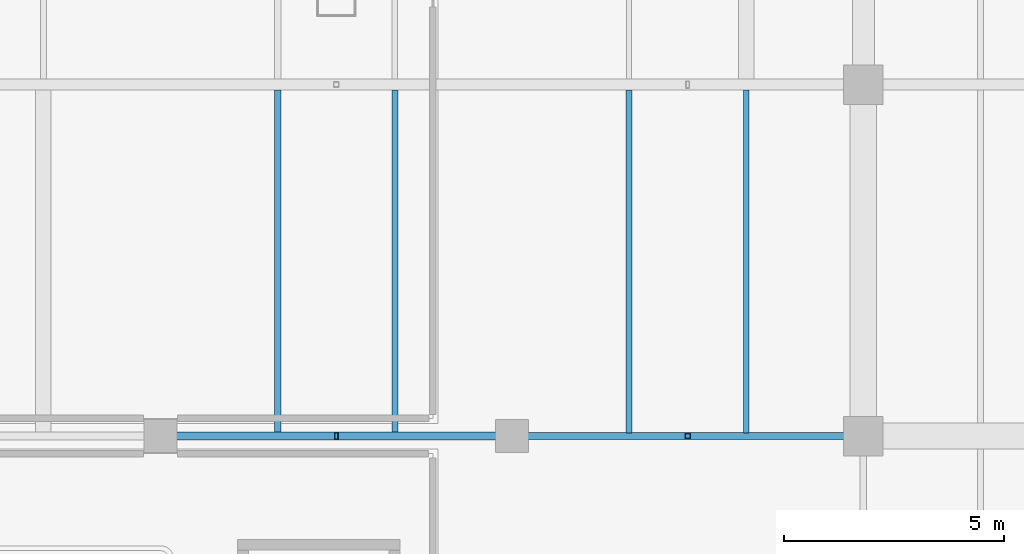
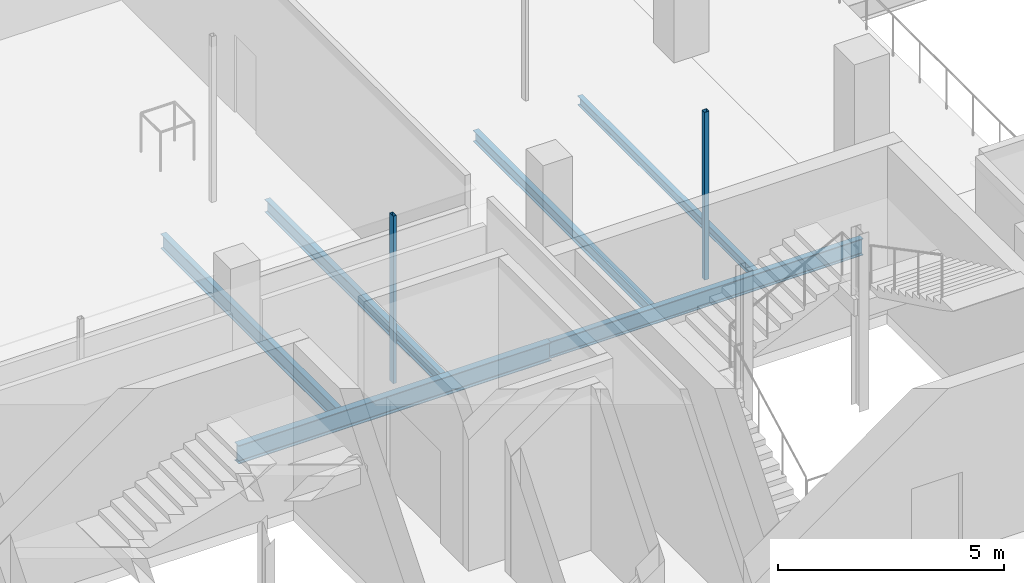
# One storey, part 16 of 127: 6 beams, 2 members.
"""IFC4 building model written with IfcOpenShell, lengths in metres."""

import ifcopenshell
import ifcopenshell.guid

model = None  # the IFC model being written
_history = None  # IfcOwnerHistory: only IFC2X3 demands one
_inside = {}  # id of a spatial element -> (the spatial element, [elements in it])
_under = {}  # id of a project, library or spatial element -> (it, [spatial elements below it])
_declared = {}  # id of a project -> (the project, [libraries it declares])
_typed = {}  # id of a type object -> (the type object, [elements of that type])
_made_of = {}  # id of a material, layer set ... -> (it, [elements and type objects made of it])


def new_model(schema):
    """Start an empty IFC model of exactly this schema.

    Asked for "IFC4X3", IfcOpenShell would pick the latest addendum, in which some entities
    have other attributes; the version numbers below select the first issue.
    IFC2X3 requires an IfcOwnerHistory on every rooted entity: one is made here for all.
    """
    global model, _history
    if schema == "IFC4X3":
        model = ifcopenshell.file(schema_version=(4, 3, 0, 0))
    else:
        model = ifcopenshell.file(schema=schema)
    _inside.clear()
    _under.clear()
    _declared.clear()
    _typed.clear()
    _made_of.clear()
    _history = None
    if model.schema == "IFC2X3":
        org = make("IfcOrganization", Name="unknown")
        user = make(
            "IfcPersonAndOrganization",
            ThePerson=make("IfcPerson", FamilyName="unknown"),
            TheOrganization=org,
        )
        app = make(
            "IfcApplication",
            ApplicationDeveloper=org,
            Version="unknown",
            ApplicationFullName="unknown",
            ApplicationIdentifier="unknown",
        )
        _history = make(
            "IfcOwnerHistory",
            OwningUser=user,
            OwningApplication=app,
            ChangeAction="ADDED",
            CreationDate=0,
        )
    return model


def make(cls, **values):
    """One entity of the class cls with the attributes given. An attribute that is None is left unset."""
    return model.create_entity(
        cls, **{name: value for name, value in values.items() if value is not None}
    )


def rooted(cls, **values):
    """An entity with a GlobalId (a new one), such as an element, a storey or a relation."""
    return make(cls, GlobalId=ifcopenshell.guid.new(), OwnerHistory=_history, **values)


def si_unit(unit_type, name, prefix=None):
    """IfcSIUnit, for example si_unit("LENGTHUNIT", "METRE", prefix="MILLI")."""
    return make("IfcSIUnit", UnitType=unit_type, Prefix=prefix, Name=name)


def derived_unit(unit_type, elements):
    """IfcDerivedUnit: a product of units, each with its exponent."""
    return make(
        "IfcDerivedUnit",
        Elements=[
            make("IfcDerivedUnitElement", Unit=unit, Exponent=power)
            for unit, power in elements
        ],
        UnitType=unit_type,
    )


def assignment(units):
    """IfcUnitAssignment: the units of a project."""
    return None if units is None else make("IfcUnitAssignment", Units=units)


def point(xyz):
    """IfcCartesianPoint."""
    return None if xyz is None else make("IfcCartesianPoint", Coordinates=xyz)


def direction(xyz):
    """IfcDirection."""
    return None if xyz is None else make("IfcDirection", DirectionRatios=xyz)


def frame(location, z_axis=None, x_axis=None):
    """IfcAxis2Placement3D, a coordinate frame: its origin and axes. An axis left out is left unset."""
    return make(
        "IfcAxis2Placement3D",
        Location=point(location),
        Axis=direction(z_axis),
        RefDirection=direction(x_axis),
    )


def frame_2d(location, x_axis=None):
    """IfcAxis2Placement2D, a coordinate frame in the plane: its origin and x axis."""
    return make(
        "IfcAxis2Placement2D", Location=point(location), RefDirection=direction(x_axis)
    )


def origin():
    """The frame at (0, 0, 0) with its axes left unset."""
    return frame((0.0, 0.0, 0.0))


def origin_2d():
    """The frame at (0, 0) in the plane with its x axis left unset."""
    return frame_2d((0.0, 0.0))


def place(relative_to, where):
    """IfcLocalPlacement: puts the frame where relative to a parent placement (None: the world)."""
    return make(
        "IfcLocalPlacement", PlacementRelTo=relative_to, RelativePlacement=where
    )


def context(
    kind, dimensions, precision=None, world=None, true_north=None, identifier=None
):
    """IfcGeometricRepresentationContext, for example the 3D "Model" context."""
    return make(
        "IfcGeometricRepresentationContext",
        ContextIdentifier=identifier,
        ContextType=kind,
        CoordinateSpaceDimension=dimensions,
        Precision=precision,
        WorldCoordinateSystem=world,
        TrueNorth=true_north,
    )


def subcontext(parent, identifier, kind, view, scale=None):
    """IfcGeometricRepresentationSubContext, for example "Body" below "Model"."""
    return make(
        "IfcGeometricRepresentationSubContext",
        ContextIdentifier=identifier,
        ContextType=kind,
        ParentContext=parent,
        TargetScale=scale,
        TargetView=view,
    )


def project(units=None, contexts=None):
    """IfcProject with its units and contexts."""
    return rooted(
        "IfcProject",
        Name="project",
        RepresentationContexts=contexts,
        UnitsInContext=assignment(units),
    )


def spatial(cls, under=None, at=None, **own):
    """A site, building, storey or space (cls), placed at a placement, below another one or the project."""
    s = rooted(cls, ObjectPlacement=at, **own)
    if under is not None:
        _under.setdefault(under.id(), (under, []))[1].append(s)
    return s


def profile(cls, at=None, kind="AREA", **sizes):
    """A parametric profile (cls). Its sizes go by their IFC names, for example OverallWidth=200.0."""
    return make(cls, ProfileType=kind, Position=at, **sizes)


def hollow_rectangle(**sizes):
    """IfcRectangleHollowProfileDef."""
    return profile("IfcRectangleHollowProfileDef", **sizes)


def i_section(**sizes):
    """IfcIShapeProfileDef."""
    return profile("IfcIShapeProfileDef", **sizes)


def extrude(swept, where, along, depth):
    """IfcExtrudedAreaSolid: the profile swept, set in the frame where, extruded along a direction by depth."""
    return make(
        "IfcExtrudedAreaSolid",
        SweptArea=swept,
        Position=where,
        ExtrudedDirection=direction(along),
        Depth=depth,
    )


def shape(context_of_items, identifier, shape_type, items):
    """IfcShapeRepresentation: the items that make up one representation, for example the "Body"."""
    return make(
        "IfcShapeRepresentation",
        ContextOfItems=context_of_items,
        RepresentationIdentifier=identifier,
        RepresentationType=shape_type,
        Items=items,
    )


def material(Name=None, Category=None):
    """IfcMaterial."""
    return make("IfcMaterial", Name=Name, Category=Category)


def material_profile(
    of_material, cross_section, Name=None, Category=None, Priority=None
):
    """IfcMaterialProfile: a cross section and its material."""
    return make(
        "IfcMaterialProfile",
        Name=Name,
        Material=of_material,
        Profile=cross_section,
        Priority=Priority,
        Category=Category,
    )


def profile_set(profiles, Name=None, composite=None):
    """IfcMaterialProfileSet."""
    return make(
        "IfcMaterialProfileSet",
        Name=Name,
        MaterialProfiles=profiles,
        CompositeProfile=composite,
    )


def made_of(thing, what):
    """Note that an element or type object is made of a material, layer set ...; save() writes the relation."""
    if what is not None:
        _made_of.setdefault(what.id(), (what, []))[1].append(thing)
    return thing


def type_object(cls, material=None, **own):
    """A type object (cls), such as IfcWallType, which elements share."""
    return made_of(rooted(cls, **own), material)


def element(
    cls,
    number,
    at=None,
    inside=None,
    cuts=None,
    type_object=None,
    material=None,
    context=None,
    identifier="Body",
    shape_type=None,
    held_by="IfcProductDefinitionShape",
    body=None,
    shapes=None,
    **own,
):
    """One element of the class cls, such as IfcWall. Its Tag is "e" and its number.

    at: its placement. inside: the storey or other place that contains it. cuts: it is an
    opening in that element (IfcRelVoidsElement). A single representation is given by context,
    identifier, shape_type and body (its items); several are given by shapes. held_by: the class
    of the entity that holds the representations. save() writes the other relations.
    """
    e = rooted(cls, Tag="e%d" % number, ObjectPlacement=at, **own)
    if body is not None:
        shapes = [shape(context, identifier, shape_type, body)]
    if shapes is not None:
        e.Representation = make(held_by, Representations=shapes)
    if inside is not None:
        _inside.setdefault(inside.id(), (inside, []))[1].append(e)
    if cuts is not None:
        rooted(
            "IfcRelVoidsElement", RelatingBuildingElement=cuts, RelatedOpeningElement=e
        )
    if type_object is not None:
        _typed.setdefault(type_object.id(), (type_object, []))[1].append(e)
    return made_of(e, material)


def aggregate(whole, parts):
    """IfcRelAggregates: a whole, such as a stair, and the parts it consists of."""
    return rooted("IfcRelAggregates", RelatingObject=whole, RelatedObjects=parts)


def save(model, path):
    """Write the relations noted so far, then the file.

    IfcRelAggregates (storeys below a building ...), IfcRelContainedInSpatialStructure (elements
    in a storey), IfcRelDefinesByType, IfcRelAssociatesMaterial and IfcRelDeclares: one each for
    every whole, place, type object, material and project.
    """
    for whole, parts in _under.values():
        aggregate(whole, parts)
    for where, things in _inside.values():
        rooted(
            "IfcRelContainedInSpatialStructure",
            RelatedElements=things,
            RelatingStructure=where,
        )
    for kind, things in _typed.values():
        rooted("IfcRelDefinesByType", RelatedObjects=things, RelatingType=kind)
    for what, things in _made_of.values():
        rooted("IfcRelAssociatesMaterial", RelatedObjects=things, RelatingMaterial=what)
    for by, libraries in _declared.values():
        rooted("IfcRelDeclares", RelatingContext=by, RelatedDefinitions=libraries)
    model.write(path)


model = new_model("IFC4")

# Units and contexts
model_context = context("Model", 3, precision=1e-05, world=origin(), true_north=direction((0.0, 1.0)))
body_context = subcontext(model_context, "Body", "Model", "MODEL_VIEW")
ifc_project = project(units=[si_unit("LENGTHUNIT", "METRE"), si_unit("AREAUNIT", "SQUARE_METRE"), si_unit("VOLUMEUNIT", "CUBIC_METRE"), si_unit("PLANEANGLEUNIT", "RADIAN"), si_unit("MASSUNIT", "GRAM", prefix="KILO"), derived_unit("THERMALTRANSMITTANCEUNIT", [(si_unit("POWERUNIT", "WATT"), 1), (si_unit("LENGTHUNIT", "METRE"), -2), (si_unit("THERMODYNAMICTEMPERATUREUNIT", "KELVIN"), -1)])], contexts=[model_context])

# Site, building, storey
site_placement = place(None, origin())
site = spatial("IfcSite", under=ifc_project, at=site_placement, CompositionType="ELEMENT")
building_placement = place(site_placement, origin())
building = spatial("IfcBuilding", under=site, at=building_placement, Name="Nallur Shell Playhouse", CompositionType="ELEMENT")
storey_placement = place(building_placement, frame((0.0, 0.0, 5.39990234375)))
storey = spatial("IfcBuildingStorey", under=building, at=storey_placement, Name="L02", CompositionType="ELEMENT", Elevation=5.39990234375)

# Beams
ifc_material_1 = material(Name="Steel E250", Category="steel")
ifc_material_profile_1 = material_profile(ifc_material_1, i_section(OverallWidth=0.125, OverallDepth=0.25, WebThickness=0.0068359375, FlangeThickness=0.012451171875, FilletRadius=0.012939453125, at=origin_2d()), Name="ISMB 250")
ifc_profile_set_1 = profile_set([ifc_material_profile_1], Name="Steel E250")
beam_type_1 = type_object("IfcBeamType", Name="BM-JST-ISMB250", PredefinedType="JOIST", material=ifc_profile_set_1)
beam_1_placement = place(storey_placement, frame((37.333251953125, 24.072998046875, -0.40478515625), z_axis=(0.0, 1.0, 0.0), x_axis=(-1.0, 0.0, 0.0)))
element("IfcBeam", 1, at=beam_1_placement, inside=storey, type_object=beam_type_1, Name="L02 secondary joist 4-C-502", PredefinedType="JOIST", context=body_context, shape_type="SweptSolid", body=[
    extrude(i_section(OverallWidth=0.125, OverallDepth=0.25, WebThickness=0.0068359375, FlangeThickness=0.012451171875, FilletRadius=0.012939453125, at=origin_2d()), origin(), (0.0, 0.0, 1.0), 7.803955078125),
])
ifc_material_profile_2 = material_profile(ifc_material_1, i_section(OverallWidth=0.139892578125, OverallDepth=0.300048828125, WebThickness=0.0078125, FlangeThickness=0.01318359375, FilletRadius=0.013916015625, at=origin_2d()), Name="ISMB 300")
ifc_profile_set_2 = profile_set([ifc_material_profile_2], Name="Steel E250")
beam_type_2 = type_object("IfcBeamType", Name="BM-JST-ISMB300", PredefinedType="JOIST", material=ifc_profile_set_2)
beam_2_placement = place(storey_placement, frame((34.666748046875, 24.072998046875, -0.429931640625), z_axis=(0.0, 1.0, 0.0), x_axis=(-1.0, 0.0, 0.0)))
element("IfcBeam", 2, at=beam_2_placement, inside=storey, type_object=beam_type_2, Name="L02 secondary joist 4-C-501", PredefinedType="JOIST", context=body_context, shape_type="SweptSolid", body=[
    extrude(i_section(OverallWidth=0.139892578125, OverallDepth=0.300048828125, WebThickness=0.0078125, FlangeThickness=0.01318359375, FilletRadius=0.013916015625, at=origin_2d()), origin(), (0.0, 0.0, 1.0), 7.803955078125),
])
ifc_material_profile_3 = material_profile(ifc_material_1, i_section(OverallWidth=0.139892578125, OverallDepth=0.35009765625, WebThickness=0.008056640625, FlangeThickness=0.01416015625, FilletRadius=0.013916015625, at=origin_2d()), Name="ISMB 350")
ifc_profile_set_3 = profile_set([ifc_material_profile_3], Name="Steel E250")
beam_type_3 = type_object("IfcBeamType", Name="BM-JST-ISMB350", PredefinedType="JOIST", material=ifc_profile_set_3)
beam_3_placement = place(storey_placement, frame((29.333251953125, 24.087890625, -0.454833984375), z_axis=(0.0, 1.0, 0.0), x_axis=(-1.0, 0.0, 0.0)))
element("IfcBeam", 3, at=beam_3_placement, inside=storey, type_object=beam_type_3, Name="L02 secondary joist 3-C-494", PredefinedType="JOIST", context=body_context, shape_type="SweptSolid", body=[
    extrude(i_section(OverallWidth=0.139892578125, OverallDepth=0.35009765625, WebThickness=0.008056640625, FlangeThickness=0.01416015625, FilletRadius=0.013916015625, at=origin_2d()), origin(), (0.0, 0.0, 1.0), 7.7890625),
])
ifc_material_profile_4 = material_profile(ifc_material_1, i_section(OverallWidth=0.139892578125, OverallDepth=0.39990234375, WebThickness=0.0087890625, FlangeThickness=0.01611328125, FilletRadius=0.013916015625, at=origin_2d()), Name="ISMB 400")
ifc_profile_set_4 = profile_set([ifc_material_profile_4], Name="Steel E250")
beam_type_4 = type_object("IfcBeamType", Name="BM-JST-ISMB400", PredefinedType="JOIST", material=ifc_profile_set_4)
beam_4_placement = place(storey_placement, frame((26.666748046875, 24.087890625, -0.47998046875), z_axis=(0.0, 1.0, 0.0), x_axis=(-1.0, 0.0, 0.0)))
element("IfcBeam", 4, at=beam_4_placement, inside=storey, type_object=beam_type_4, Name="L02 secondary joist 3-C-493", PredefinedType="JOIST", context=body_context, shape_type="SweptSolid", body=[
    extrude(i_section(OverallWidth=0.139892578125, OverallDepth=0.39990234375, WebThickness=0.0087890625, FlangeThickness=0.01611328125, FilletRadius=0.013916015625, at=origin_2d()), origin(), (0.0, 0.0, 1.0), 7.7890625),
])
ifc_material_2 = material(Name="Steel E350", Category="steel")
ifc_material_profile_5 = material_profile(ifc_material_2, i_section(OverallWidth=0.14990234375, OverallDepth=0.449951171875, WebThickness=0.009521484375, FlangeThickness=0.017333984375, FilletRadius=0.014892578125, at=origin_2d()), Name="ISMB 450")
ifc_profile_set_5 = profile_set([ifc_material_profile_5], Name="Steel E350")
beam_type_5 = type_object("IfcBeamType", Name="BM-ST-ISMB450", PredefinedType="BEAM", material=ifc_profile_set_5)
beam_5_placement = place(storey_placement, frame((32.0, 24.0, -0.5048828125), z_axis=(1.0, 0.0, 0.0), x_axis=(0.0, 1.0, 0.0)))
element("IfcBeam", 5, at=beam_5_placement, inside=storey, type_object=beam_type_5, Name="L02 girder X-C-331", PredefinedType="BEAM", context=body_context, shape_type="SweptSolid", body=[
    extrude(i_section(OverallWidth=0.14990234375, OverallDepth=0.449951171875, WebThickness=0.009521484375, FlangeThickness=0.017333984375, FilletRadius=0.014892578125, at=origin_2d()), origin(), (0.0, 0.0, 1.0), 8.0),
])
ifc_material_profile_6 = material_profile(ifc_material_2, i_section(OverallWidth=0.179931640625, OverallDepth=0.5, WebThickness=0.01025390625, FlangeThickness=0.01708984375, FilletRadius=0.01708984375, at=origin_2d()), Name="ISMB 500")
ifc_profile_set_6 = profile_set([ifc_material_profile_6], Name="Steel E350")
beam_type_6 = type_object("IfcBeamType", Name="BM-ST-ISMB500", PredefinedType="BEAM", material=ifc_profile_set_6)
beam_6_placement = place(storey_placement, frame((24.0, 24.0, -0.52978515625), z_axis=(1.0, 0.0, 0.0), x_axis=(0.0, 1.0, 0.0)))
element("IfcBeam", 6, at=beam_6_placement, inside=storey, type_object=beam_type_6, Name="L02 girder X-C-330", PredefinedType="BEAM", context=body_context, shape_type="SweptSolid", body=[
    extrude(i_section(OverallWidth=0.179931640625, OverallDepth=0.5, WebThickness=0.01025390625, FlangeThickness=0.01708984375, FilletRadius=0.01708984375, at=origin_2d()), origin(), (0.0, 0.0, 1.0), 8.0),
])

# Members
ifc_material_profile_7 = material_profile(ifc_material_1, hollow_rectangle(XDim=0.080078125, YDim=0.159912109375, WallThickness=0.006103515625, at=origin_2d()), Name="RHS 160x80x6")
ifc_profile_set_7 = profile_set([ifc_material_profile_7], Name="Steel E250")
member_type_1 = type_object("IfcMemberType", Name="MB-STUD-RHS160", PredefinedType="STUD", material=ifc_profile_set_7)
member_1_placement = place(storey_placement, frame((28.0, 24.0, 0.0), z_axis=(0.0, 0.0, 1.0), x_axis=(1.0, 0.0, 0.0)))
element("IfcMember", 7, at=member_1_placement, inside=storey, type_object=member_type_1, Name="L02 acoustic isolation wall stud 08", PredefinedType="STUD", context=body_context, shape_type="SweptSolid", body=[
    extrude(hollow_rectangle(XDim=0.080078125, YDim=0.159912109375, WallThickness=0.006103515625, at=origin_2d()), origin(), (0.0, 0.0, 1.0), 4.5400390625),
])
ifc_material_profile_8 = material_profile(ifc_material_1, hollow_rectangle(XDim=0.1201171875, YDim=0.1201171875, WallThickness=0.006103515625, at=origin_2d()), Name="SHS 120x120x6")
ifc_profile_set_8 = profile_set([ifc_material_profile_8], Name="Steel E250")
member_type_2 = type_object("IfcMemberType", Name="MB-STUD-SHS120", PredefinedType="STUD", material=ifc_profile_set_8)
member_2_placement = place(storey_placement, frame((36.0, 24.0, 0.0), z_axis=(0.0, 0.0, 1.0), x_axis=(1.0, 0.0, 0.0)))
element("IfcMember", 8, at=member_2_placement, inside=storey, type_object=member_type_2, Name="L02 acoustic isolation wall stud 09", PredefinedType="STUD", context=body_context, shape_type="SweptSolid", body=[
    extrude(hollow_rectangle(XDim=0.1201171875, YDim=0.1201171875, WallThickness=0.006103515625, at=origin_2d()), origin(), (0.0, 0.0, 1.0), 4.5400390625),
])

save(model, "model.ifc")
